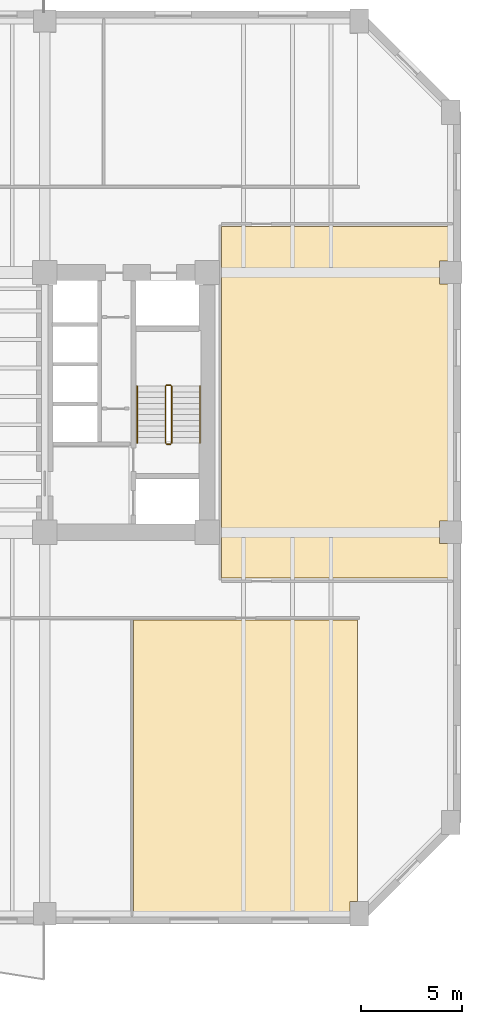
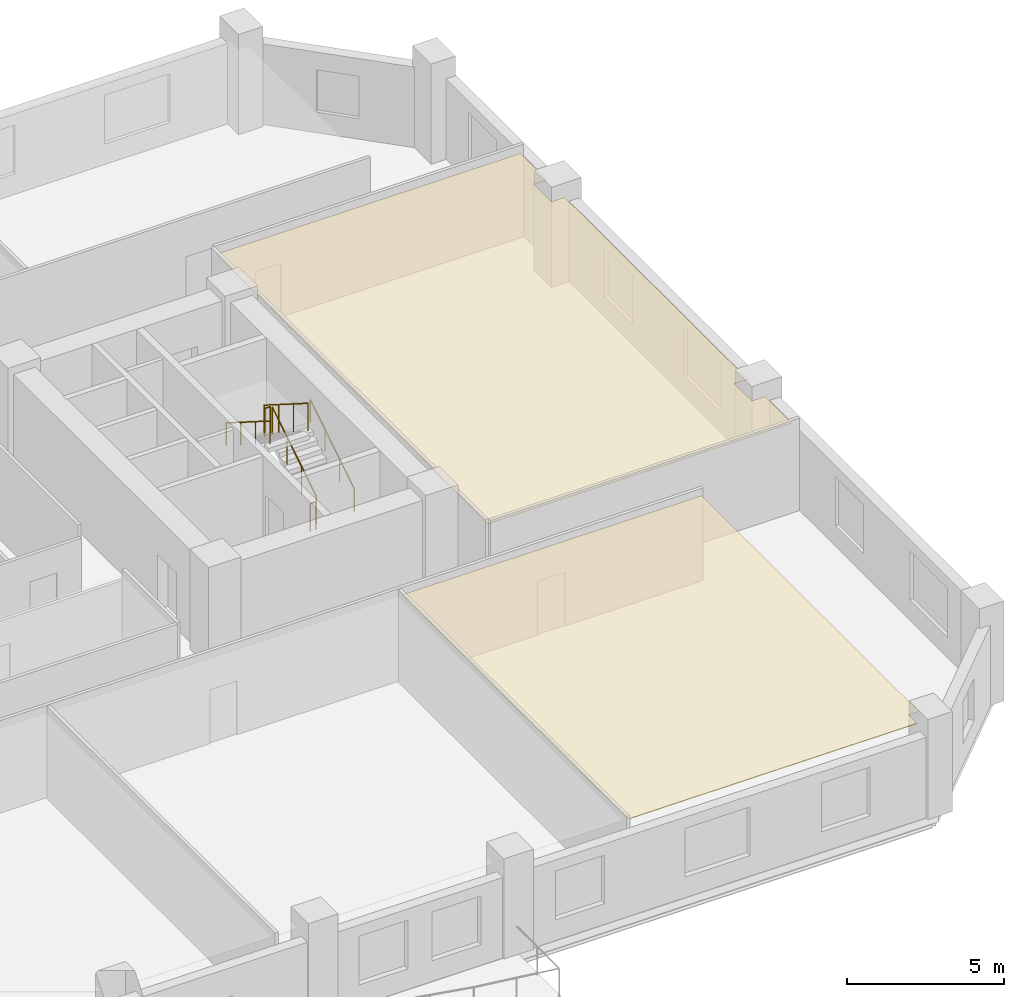
# One storey, part 7 of 9: 6 railings, 2 coverings.
"""IFC4 building model written with IfcOpenShell, lengths in metres."""

from ifc_helpers import new_model, si_unit, direction, frame, origin, origin_2d, place, context, subcontext, project, spatial, polyline, circle, outline, extrude, material, layer, layer_set, type_object, element, save


model = new_model("IFC4")

# Units and contexts
model_context = context("Model", 3, precision=1e-05, world=origin(), true_north=direction((0.0, 1.0)))
body_context = subcontext(model_context, "Body", "Model", "MODEL_VIEW")
ifc_project = project(units=[si_unit("LENGTHUNIT", "METRE"), si_unit("AREAUNIT", "SQUARE_METRE"), si_unit("VOLUMEUNIT", "CUBIC_METRE"), si_unit("PLANEANGLEUNIT", "RADIAN"), si_unit("MASSUNIT", "GRAM", prefix="KILO")], contexts=[model_context])

# Site, building, storey
site_placement = place(None, origin())
site = spatial("IfcSite", under=ifc_project, at=site_placement, CompositionType="ELEMENT")
building_placement = place(site_placement, origin())
building = spatial("IfcBuilding", under=site, at=building_placement, Name="Kranthara Brick Stack", CompositionType="ELEMENT")
storey_placement = place(building_placement, frame((0.0, 0.0, 51.60009765625)))
storey = spatial("IfcBuildingStorey", under=building, at=storey_placement, Name="L12", CompositionType="ELEMENT", Elevation=51.60009765625)

# Coverings
ifc_material_1 = material(Name="Perforated mineral-fibre acoustic ceiling tile", Category="other")
ifc_layer = layer(ifc_material_1, 0.02490234375)
ifc_layer_set = layer_set([ifc_layer], Name="Perforated mineral-fibre acoustic ceiling tile")
covering_type = type_object("IfcCoveringType", Name="COV-CEIL-ACOUSTIC", PredefinedType="CEILING", material=ifc_layer_set)
covering_1_placement = place(storey_placement, frame((0.0, 0.0, 3.329833984375)))
element("IfcCovering", 1, at=covering_1_placement, inside=storey, type_object=covering_type, Name="L12 L12 Staff Pantry 3 Acoustic Ceiling", PredefinedType="CEILING", context=body_context, shape_type="SweptSolid", body=[
    extrude(outline(polyline([(39.580078125, 2.070068359375), (39.580078125, 16.47998046875), (50.6201171875, 16.47998046875), (50.6201171875, 2.610107421875), (50.239990234375, 2.610107421875), (50.239990234375, 2.070068359375), (39.580078125, 2.070068359375)])), origin(), (0.0, 0.0, 1.0), 0.025146484375),
])
covering_2_placement = place(storey_placement, frame((0.0, 0.0, 3.329833984375)))
element("IfcCovering", 2, at=covering_2_placement, inside=storey, type_object=covering_type, Name="L12 L12 East Client Office 1 Acoustic Ceiling", PredefinedType="CEILING", context=body_context, shape_type="SweptSolid", body=[
    extrude(outline(polyline([(43.919921875, 18.5400390625), (43.919921875, 35.860107421875), (55.1298828125, 35.860107421875), (55.1298828125, 34.159912109375), (54.639892578125, 34.159912109375), (54.639892578125, 33.0400390625), (55.1298828125, 33.0400390625), (55.1298828125, 21.360107421875), (54.639892578125, 21.360107421875), (54.639892578125, 20.239990234375), (55.1298828125, 20.239990234375), (55.1298828125, 18.5400390625), (43.919921875, 18.5400390625)])), origin(), (0.0, 0.0, 1.0), 0.025146484375),
])

# Railings
ifc_material_2 = material(Name="Painted galvanized steel stair guardrail", Category="steel")
railing_type_1 = type_object("IfcRailingType", Name="RL-STAIR-GUARD-1100", PredefinedType="GUARDRAIL", material=ifc_material_2)
railing_1_placement = place(storey_placement, frame((41.449951171875, 25.199951171875, 0.17724609375)))
element("IfcRailing", 3, at=railing_1_placement, inside=storey, type_object=railing_type_1, Name="L12 ST02 stair guard 1", PredefinedType="GUARDRAIL", context=body_context, shape_type="SweptSolid", body=[
    extrude(circle(Radius=0.02392578125, at=origin_2d()), frame((0.0, 0.0, 1.076171875), z_axis=(0.0, 0.844908973607, 0.534910110503), x_axis=(-1.0, 0.0, 0.0)), (0.0, 0.0, 1.0), 3.31396484375),
    extrude(circle(Radius=0.02099609375, at=origin_2d()), origin(), (0.0, 0.0, 1.0), 1.052001953125),
    extrude(circle(Radius=0.02099609375, at=origin_2d()), frame((0.0, 0.933349609375, 0.5908203125)), (0.0, 0.0, 1.0), 1.052001953125),
    extrude(circle(Radius=0.02099609375, at=origin_2d()), frame((0.0, 1.86669921875, 1.181884765625)), (0.0, 0.0, 1.0), 1.052001953125),
    extrude(circle(Radius=0.02099609375, at=origin_2d()), frame((0.0, 2.800048828125, 1.772705078125)), (0.0, 0.0, 1.0), 1.052001953125),
])
railing_2_placement = place(storey_placement, frame((41.39990234375, 28.050048828125, 1.949951171875)))
element("IfcRailing", 4, at=railing_2_placement, inside=storey, type_object=railing_type_1, Name="L12 ST02 stair guard 2", PredefinedType="GUARDRAIL", context=body_context, shape_type="SweptSolid", body=[
    extrude(circle(Radius=0.02392578125, at=origin_2d()), frame((0.0, 0.0, 1.076171875), z_axis=(-1.0, 0.0, 0.0), x_axis=(0.0, -1.0, 0.0)), (0.0, 0.0, 1.0), 0.199951171875),
    extrude(circle(Radius=0.02099609375, at=origin_2d()), origin(), (0.0, 0.0, 1.0), 1.052001953125),
    extrude(circle(Radius=0.02099609375, at=origin_2d()), frame((-0.199951171875, 0.0, 0.0)), (0.0, 0.0, 1.0), 1.052001953125),
])
railing_3_placement = place(storey_placement, frame((41.14990234375, 28.0, 2.127197265625)))
element("IfcRailing", 5, at=railing_3_placement, inside=storey, type_object=railing_type_1, Name="L12 ST02 stair guard 3", PredefinedType="GUARDRAIL", context=body_context, shape_type="SweptSolid", body=[
    extrude(circle(Radius=0.02392578125, at=origin_2d()), frame((0.0, 0.0, 1.076171875), z_axis=(0.0, -0.844908973607, 0.534910110503), x_axis=(1.0, 0.0, 0.0)), (0.0, 0.0, 1.0), 3.31396484375),
    extrude(circle(Radius=0.02099609375, at=origin_2d()), origin(), (0.0, 0.0, 1.0), 1.052001953125),
    extrude(circle(Radius=0.02099609375, at=origin_2d()), frame((0.0, -0.933349609375, 0.5908203125)), (0.0, 0.0, 1.0), 1.052001953125),
    extrude(circle(Radius=0.02099609375, at=origin_2d()), frame((0.0, -1.86669921875, 1.181884765625)), (0.0, 0.0, 1.0), 1.052001953125),
    extrude(circle(Radius=0.02099609375, at=origin_2d()), frame((0.0, -2.800048828125, 1.772705078125)), (0.0, 0.0, 1.0), 1.052001953125),
])
railing_4_placement = place(storey_placement, frame((41.39990234375, 25.14990234375, 0.0)))
element("IfcRailing", 6, at=railing_4_placement, inside=storey, type_object=railing_type_1, Name="L12 ST02 stair guard 4", PredefinedType="GUARDRAIL", context=body_context, shape_type="SweptSolid", body=[
    extrude(circle(Radius=0.02392578125, at=origin_2d()), frame((0.0, 0.0, 1.076171875), z_axis=(-1.0, 0.0, 0.0), x_axis=(0.0, -1.0, 0.0)), (0.0, 0.0, 1.0), 0.199951171875),
    extrude(circle(Radius=0.02099609375, at=origin_2d()), origin(), (0.0, 0.0, 1.0), 1.052001953125),
    extrude(circle(Radius=0.02099609375, at=origin_2d()), frame((-0.199951171875, 0.0, 0.0)), (0.0, 0.0, 1.0), 1.052001953125),
])
ifc_material_3 = material(Name="Brushed stainless steel tubular handrail", Category="steel")
railing_type_2 = type_object("IfcRailingType", Name="RL-STAIR-HAND-900", PredefinedType="HANDRAIL", material=ifc_material_3)
railing_5_placement = place(storey_placement, frame((42.85009765625, 25.199951171875, 0.17724609375)))
element("IfcRailing", 7, at=railing_5_placement, inside=storey, type_object=railing_type_2, Name="L12 ST02 stair handrail 1", PredefinedType="HANDRAIL", context=body_context, shape_type="SweptSolid", body=[
    extrude(circle(Radius=0.02392578125, at=origin_2d()), frame((0.0, 0.0, 0.8759765625), z_axis=(0.0, 0.844908973607, 0.534910110503), x_axis=(-1.0, 0.0, 0.0)), (0.0, 0.0, 1.0), 3.31396484375),
    extrude(circle(Radius=0.02099609375, at=origin_2d()), origin(), (0.0, 0.0, 1.0), 0.851806640625),
    extrude(circle(Radius=0.02099609375, at=origin_2d()), frame((0.0, 0.933349609375, 0.5908203125)), (0.0, 0.0, 1.0), 0.851806640625),
    extrude(circle(Radius=0.02099609375, at=origin_2d()), frame((0.0, 1.86669921875, 1.181884765625)), (0.0, 0.0, 1.0), 0.851806640625),
    extrude(circle(Radius=0.02099609375, at=origin_2d()), frame((0.0, 2.800048828125, 1.772705078125)), (0.0, 0.0, 1.0), 0.851806640625),
])
railing_6_placement = place(storey_placement, frame((39.75, 28.0, 2.127197265625)))
element("IfcRailing", 8, at=railing_6_placement, inside=storey, type_object=railing_type_2, Name="L12 ST02 stair handrail 2", PredefinedType="HANDRAIL", context=body_context, shape_type="SweptSolid", body=[
    extrude(circle(Radius=0.02392578125, at=origin_2d()), frame((0.0, 0.0, 0.8759765625), z_axis=(0.0, -0.844908973607, 0.534910110503), x_axis=(1.0, 0.0, 0.0)), (0.0, 0.0, 1.0), 3.31396484375),
    extrude(circle(Radius=0.02099609375, at=origin_2d()), origin(), (0.0, 0.0, 1.0), 0.851806640625),
    extrude(circle(Radius=0.02099609375, at=origin_2d()), frame((0.0, -0.933349609375, 0.5908203125)), (0.0, 0.0, 1.0), 0.851806640625),
    extrude(circle(Radius=0.02099609375, at=origin_2d()), frame((0.0, -1.86669921875, 1.181884765625)), (0.0, 0.0, 1.0), 0.851806640625),
    extrude(circle(Radius=0.02099609375, at=origin_2d()), frame((0.0, -2.800048828125, 1.772705078125)), (0.0, 0.0, 1.0), 0.851806640625),
])

save(model, "model.ifc")
